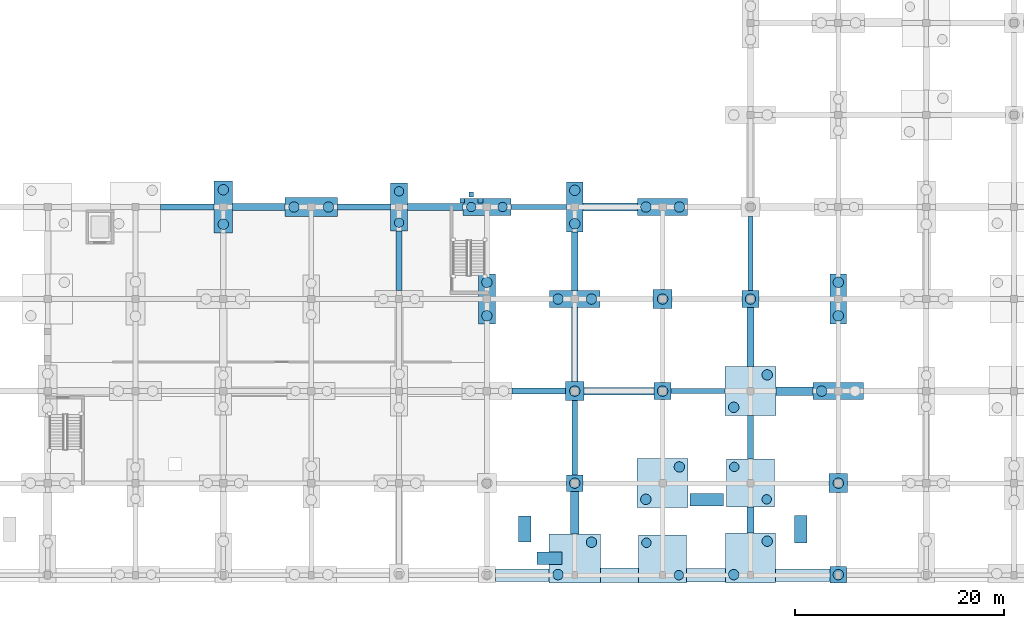
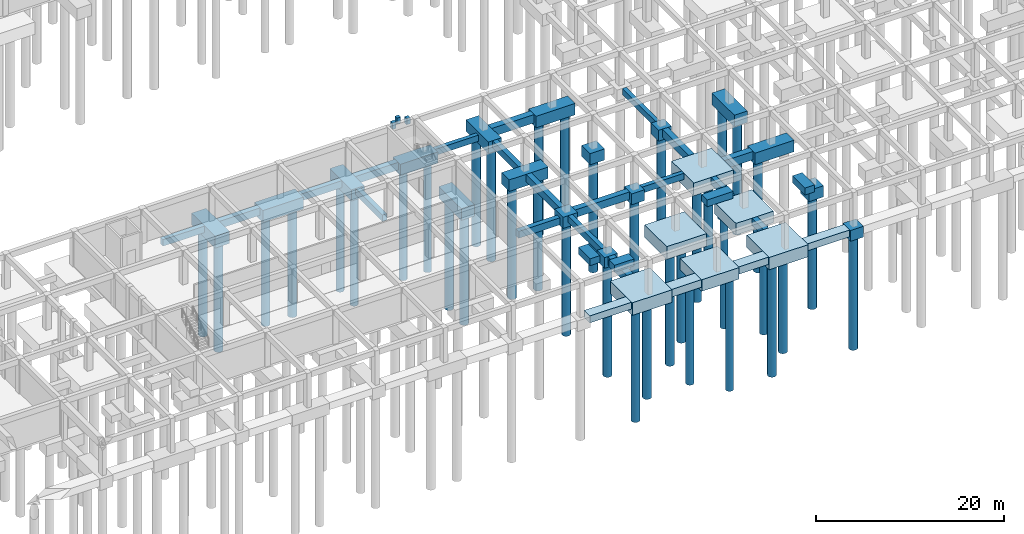
# One storey, part 4 of 41: 53 footings, 38 piles.
"""IFC4 building model written with IfcOpenShell, lengths in metres."""

from ifc_helpers import new_model, si_unit, direction, frame, origin, origin_2d, place, context, subcontext, project, spatial, rectangle, circle, extrude, material, material_profile, profile_set, type_object, element, save


model = new_model("IFC4")

# Units and contexts
model_context = context("Model", 3, precision=1e-05, world=origin(), true_north=direction((0.0, 1.0)))
body_context = subcontext(model_context, "Body", "Model", "MODEL_VIEW")
ifc_project = project(units=[si_unit("LENGTHUNIT", "METRE"), si_unit("AREAUNIT", "SQUARE_METRE"), si_unit("VOLUMEUNIT", "CUBIC_METRE"), si_unit("PLANEANGLEUNIT", "RADIAN"), si_unit("MASSUNIT", "GRAM", prefix="KILO")], contexts=[model_context])

# Site, building, storey
site_placement = place(None, origin())
site = spatial("IfcSite", under=ifc_project, at=site_placement, CompositionType="ELEMENT")
building_placement = place(site_placement, origin())
building = spatial("IfcBuilding", under=site, at=building_placement, Name="Kemercrest Conservatory and Botanical Centre", CompositionType="ELEMENT")
storey_placement = place(building_placement, frame((0.0, 0.0, -4.5)))
storey = spatial("IfcBuildingStorey", under=building, at=storey_placement, Name="B1", CompositionType="ELEMENT", Elevation=-4.5)

# Piles
ifc_material = material(Name="Concrete C40/50", Category="concrete")
ifc_material_profile_1 = material_profile(ifc_material, circle(Radius=0.5, at=origin_2d()), Name="BORED PILE 1000")
ifc_profile_set_1 = profile_set([ifc_material_profile_1], Name="Concrete C40/50")
pile_type_1 = type_object("IfcPileType", Name="BP-01", PredefinedType="BORED", material=ifc_profile_set_1)
for number, where, z_axis, x_axis, name in (
    (1, (75.199951171875, 41.550048828125, -1.860107421875), (0.0, 0.0, -1.0), (1.0, 0.0, 0.0), "Bored pile BP-01 #206"),
    (2, (75.199951171875, 44.85009765625, -1.860107421875), (0.0, 0.0, -1.0), (1.0, 0.0, 0.0), "Bored pile BP-01 #207"),
    (3, (81.949951171875, 43.199951171875, -1.860107421875), (0.0, 0.0, -1.0), (1.0, 0.0, 0.0), "Bored pile BP-01 #224"),
    (4, (85.25, 43.199951171875, -1.860107421875), (0.0, 0.0, -1.0), (1.0, 0.0, 0.0), "Bored pile BP-01 #225"),
):
    element("IfcPile", number, at=place(storey_placement, frame(where, z_axis=z_axis, x_axis=x_axis)), inside=storey, type_object=pile_type_1, Name=name, PredefinedType="BORED", context=body_context, shape_type="SweptSolid", body=[
        extrude(circle(Radius=0.5, at=origin_2d()), origin(), (0.0, 0.0, 1.0), 14.139892578125),
    ])
for number, where, z_axis, x_axis, name in (
    (5, (100.39990234375, 32.800048828125, -1.81005859375), (0.0, 0.0, -1.0), (1.0, 0.0, 0.0), "Bored pile BP-01 #258"),
    (6, (100.39990234375, 36.0, -1.81005859375), (0.0, 0.0, -1.0), (1.0, 0.0, 0.0), "Bored pile BP-01 #259"),
):
    element("IfcPile", number, at=place(storey_placement, frame(where, z_axis=z_axis, x_axis=x_axis)), inside=storey, type_object=pile_type_1, Name=name, PredefinedType="BORED", context=body_context, shape_type="SweptSolid", body=[
        extrude(circle(Radius=0.5, at=origin_2d()), origin(), (0.0, 0.0, 1.0), 14.18994140625),
    ])
for number, where, z_axis, x_axis, name in (
    (7, (107.199951171875, 8.050048828125, -1.550048828125), (0.0, 0.0, -1.0), (1.0, 0.0, 0.0), "Bored pile BP-01 #272"),
    (8, (110.39990234375, 11.14990234375, -1.550048828125), (0.0, 0.0, -1.0), (1.0, 0.0, 0.0), "Bored pile BP-01 #273"),
):
    element("IfcPile", number, at=place(storey_placement, frame(where, z_axis=z_axis, x_axis=x_axis)), inside=storey, type_object=pile_type_1, Name=name, PredefinedType="BORED", context=body_context, shape_type="SweptSolid", body=[
        extrude(circle(Radius=0.5, at=origin_2d()), origin(), (0.0, 0.0, 1.0), 14.449951171875),
    ])
pile_1_placement = place(storey_placement, frame((108.800048828125, 16.800048828125, -1.300048828125), z_axis=(0.0, 0.0, -1.0), x_axis=(1.0, 0.0, 0.0)))
element("IfcPile", 9, at=pile_1_placement, inside=storey, type_object=pile_type_1, Name="Bored pile BP-01 #274", PredefinedType="BORED", context=body_context, shape_type="SweptSolid", body=[
    extrude(circle(Radius=0.5, at=origin_2d()), origin(), (0.0, 0.0, 1.0), 14.699951171875),
])
pile_2_placement = place(storey_placement, frame((108.800048828125, 25.60009765625, -1.35009765625), z_axis=(0.0, 0.0, -1.0), x_axis=(1.0, 0.0, 0.0)))
element("IfcPile", 10, at=pile_2_placement, inside=storey, type_object=pile_type_1, Name="Bored pile BP-01 #275", PredefinedType="BORED", context=body_context, shape_type="SweptSolid", body=[
    extrude(circle(Radius=0.5, at=origin_2d()), origin(), (0.0, 0.0, 1.0), 14.64990234375),
])
for number, where, z_axis, x_axis, name in (
    (11, (107.199951171875, 34.39990234375, -1.39990234375), (0.0, 0.0, -1.0), (1.0, 0.0, 0.0), "Bored pile BP-01 #276"),
    (12, (110.39990234375, 34.39990234375, -1.39990234375), (0.0, 0.0, -1.0), (1.0, 0.0, 0.0), "Bored pile BP-01 #277"),
    (13, (108.800048828125, 41.60009765625, -1.39990234375), (0.0, 0.0, -1.0), (1.0, 0.0, 0.0), "Bored pile BP-01 #278"),
    (14, (108.800048828125, 44.800048828125, -1.39990234375), (0.0, 0.0, -1.0), (1.0, 0.0, 0.0), "Bored pile BP-01 #279"),
):
    element("IfcPile", number, at=place(storey_placement, frame(where, z_axis=z_axis, x_axis=x_axis)), inside=storey, type_object=pile_type_1, Name=name, PredefinedType="BORED", context=body_context, shape_type="SweptSolid", body=[
        extrude(circle(Radius=0.5, at=origin_2d()), origin(), (0.0, 0.0, 1.0), 14.60009765625),
    ])
for number, where, z_axis, x_axis, name in (
    (15, (115.60009765625, 15.25, -1.550048828125), (0.0, 0.0, -1.0), (1.0, 0.0, 0.0), "Bored pile BP-01 #292"),
    (16, (118.800048828125, 18.35009765625, -1.550048828125), (0.0, 0.0, -1.0), (1.0, 0.0, 0.0), "Bored pile BP-01 #293"),
):
    element("IfcPile", number, at=place(storey_placement, frame(where, z_axis=z_axis, x_axis=x_axis)), inside=storey, type_object=pile_type_1, Name=name, PredefinedType="BORED", context=body_context, shape_type="SweptSolid", body=[
        extrude(circle(Radius=0.5, at=origin_2d()), origin(), (0.0, 0.0, 1.0), 14.449951171875),
    ])
pile_3_placement = place(storey_placement, frame((117.199951171875, 25.60009765625, -1.300048828125), z_axis=(0.0, 0.0, -1.0), x_axis=(1.0, 0.0, 0.0)))
element("IfcPile", 17, at=pile_3_placement, inside=storey, type_object=pile_type_1, Name="Bored pile BP-01 #294", PredefinedType="BORED", context=body_context, shape_type="SweptSolid", body=[
    extrude(circle(Radius=0.5, at=origin_2d()), origin(), (0.0, 0.0, 1.0), 14.699951171875),
])
pile_4_placement = place(storey_placement, frame((117.199951171875, 34.39990234375, -1.35009765625), z_axis=(0.0, 0.0, -1.0), x_axis=(1.0, 0.0, 0.0)))
element("IfcPile", 18, at=pile_4_placement, inside=storey, type_object=pile_type_1, Name="Bored pile BP-01 #295", PredefinedType="BORED", context=body_context, shape_type="SweptSolid", body=[
    extrude(circle(Radius=0.5, at=origin_2d()), origin(), (0.0, 0.0, 1.0), 14.64990234375),
])
for number, where, z_axis, x_axis, name in (
    (19, (115.60009765625, 43.199951171875, -1.39990234375), (0.0, 0.0, -1.0), (1.0, 0.0, 0.0), "Bored pile BP-01 #296"),
    (20, (118.800048828125, 43.199951171875, -1.39990234375), (0.0, 0.0, -1.0), (1.0, 0.0, 0.0), "Bored pile BP-01 #297"),
):
    element("IfcPile", number, at=place(storey_placement, frame(where, z_axis=z_axis, x_axis=x_axis)), inside=storey, type_object=pile_type_1, Name=name, PredefinedType="BORED", context=body_context, shape_type="SweptSolid", body=[
        extrude(circle(Radius=0.5, at=origin_2d()), origin(), (0.0, 0.0, 1.0), 14.60009765625),
    ])
for number, where, z_axis, x_axis, name in (
    (21, (124.0, 8.050048828125, -1.5), (0.0, 0.0, -1.0), (1.0, 0.0, 0.0), "Bored pile BP-01 #308"),
    (22, (127.199951171875, 11.25, -1.5), (0.0, 0.0, -1.0), (1.0, 0.0, 0.0), "Bored pile BP-01 #309"),
):
    element("IfcPile", number, at=place(storey_placement, frame(where, z_axis=z_axis, x_axis=x_axis)), inside=storey, type_object=pile_type_1, Name=name, PredefinedType="BORED", context=body_context, shape_type="SweptSolid", body=[
        extrude(circle(Radius=0.5, at=origin_2d()), origin(), (0.0, 0.0, 1.0), 14.5),
    ])
for number, where, z_axis, x_axis, name in (
    (23, (124.0, 24.050048828125, -1.550048828125), (0.0, 0.0, -1.0), (1.0, 0.0, 0.0), "Bored pile BP-01 #312"),
    (24, (127.199951171875, 27.14990234375, -1.550048828125), (0.0, 0.0, -1.0), (1.0, 0.0, 0.0), "Bored pile BP-01 #313"),
):
    element("IfcPile", number, at=place(storey_placement, frame(where, z_axis=z_axis, x_axis=x_axis)), inside=storey, type_object=pile_type_1, Name=name, PredefinedType="BORED", context=body_context, shape_type="SweptSolid", body=[
        extrude(circle(Radius=0.5, at=origin_2d()), origin(), (0.0, 0.0, 1.0), 14.449951171875),
    ])
for number, where, z_axis, x_axis, name in (
    (25, (125.60009765625, 34.39990234375, -1.300048828125), (0.0, 0.0, -1.0), (1.0, 0.0, 0.0), "Bored pile BP-01 #314"),
    (26, (134.0, 8.050048828125, -1.300048828125), (0.0, 0.0, -1.0), (1.0, 0.0, 0.0), "Bored pile BP-01 #344"),
):
    element("IfcPile", number, at=place(storey_placement, frame(where, z_axis=z_axis, x_axis=x_axis)), inside=storey, type_object=pile_type_1, Name=name, PredefinedType="BORED", context=body_context, shape_type="SweptSolid", body=[
        extrude(circle(Radius=0.5, at=origin_2d()), origin(), (0.0, 0.0, 1.0), 14.699951171875),
    ])
pile_5_placement = place(storey_placement, frame((134.0, 16.800048828125, -1.35009765625), z_axis=(0.0, 0.0, -1.0), x_axis=(1.0, 0.0, 0.0)))
element("IfcPile", 27, at=pile_5_placement, inside=storey, type_object=pile_type_1, Name="Bored pile BP-01 #345", PredefinedType="BORED", context=body_context, shape_type="SweptSolid", body=[
    extrude(circle(Radius=0.5, at=origin_2d()), origin(), (0.0, 0.0, 1.0), 14.64990234375),
])
for number, where, z_axis, x_axis, name in (
    (28, (132.39990234375, 25.60009765625, -1.39990234375), (0.0, 0.0, -1.0), (1.0, 0.0, 0.0), "Bored pile BP-01 #346"),
    (29, (134.0, 32.800048828125, -1.39990234375), (0.0, 0.0, -1.0), (1.0, 0.0, 0.0), "Bored pile BP-01 #348"),
    (30, (134.0, 36.0, -1.39990234375), (0.0, 0.0, -1.0), (1.0, 0.0, 0.0), "Bored pile BP-01 #349"),
):
    element("IfcPile", number, at=place(storey_placement, frame(where, z_axis=z_axis, x_axis=x_axis)), inside=storey, type_object=pile_type_1, Name=name, PredefinedType="BORED", context=body_context, shape_type="SweptSolid", body=[
        extrude(circle(Radius=0.5, at=origin_2d()), origin(), (0.0, 0.0, 1.0), 14.60009765625),
    ])
ifc_material_profile_2 = material_profile(ifc_material, circle(Radius=0.449951171875, at=origin_2d()), Name="BORED PILE 900")
ifc_profile_set_2 = profile_set([ifc_material_profile_2], Name="Concrete C40/50")
pile_type_2 = type_object("IfcPileType", Name="BP-02", PredefinedType="BORED", material=ifc_profile_set_2)
for number, where, z_axis, x_axis, name in (
    (31, (92.0, 41.699951171875, -1.760009765625), (0.0, 0.0, -1.0), (1.0, 0.0, 0.0), "Bored pile BP-02 #242"),
    (32, (92.0, 44.699951171875, -1.760009765625), (0.0, 0.0, -1.0), (1.0, 0.0, 0.0), "Bored pile BP-02 #243"),
    (33, (98.89990234375, 43.199951171875, -1.760009765625), (0.0, 0.0, -1.0), (1.0, 0.0, 0.0), "Bored pile BP-02 #260"),
    (34, (101.89990234375, 43.199951171875, -1.760009765625), (0.0, 0.0, -1.0), (1.0, 0.0, 0.0), "Bored pile BP-02 #261"),
):
    element("IfcPile", number, at=place(storey_placement, frame(where, z_axis=z_axis, x_axis=x_axis)), inside=storey, type_object=pile_type_2, Name=name, PredefinedType="BORED", context=body_context, shape_type="SweptSolid", body=[
        extrude(circle(Radius=0.449951171875, at=origin_2d()), origin(), (0.0, 0.0, 1.0), 14.239990234375),
    ])
for number, where, z_axis, x_axis, name in (
    (35, (115.64990234375, 11.10009765625, -1.39990234375), (0.0, 0.0, -1.0), (1.0, 0.0, 0.0), "Bored pile BP-02 #290"),
    (36, (118.75, 8.0, -1.39990234375), (0.0, 0.0, -1.0), (1.0, 0.0, 0.0), "Bored pile BP-02 #291"),
    (37, (124.050048828125, 18.35009765625, -1.39990234375), (0.0, 0.0, -1.0), (1.0, 0.0, 0.0), "Bored pile BP-02 #310"),
    (38, (127.14990234375, 15.25, -1.39990234375), (0.0, 0.0, -1.0), (1.0, 0.0, 0.0), "Bored pile BP-02 #311"),
):
    element("IfcPile", number, at=place(storey_placement, frame(where, z_axis=z_axis, x_axis=x_axis)), inside=storey, type_object=pile_type_2, Name=name, PredefinedType="BORED", context=body_context, shape_type="SweptSolid", body=[
        extrude(circle(Radius=0.449951171875, at=origin_2d()), origin(), (0.0, 0.0, 1.0), 14.60009765625),
    ])

# Footings
footing_type_1 = type_object("IfcFootingType", Name="FB-01", PredefinedType="FOOTING_BEAM", material=ifc_material)
for number, where, z_axis, x_axis, name in (
    (39, (105.35009765625, 25.60009765625, -1.31005859375), (0.0, 0.0, 1.0), (1.0, 0.0, 0.0), "Seismic tie footing beam FB-01"),
    (40, (88.64990234375, 43.199951171875, -1.31005859375), (0.0, 0.0, 1.0), (1.0, 0.0, 0.0), "Seismic tie footing beam FB-01"),
):
    element("IfcFooting", number, at=place(storey_placement, frame(where, z_axis=z_axis, x_axis=x_axis)), inside=storey, type_object=footing_type_1, Name=name, PredefinedType="FOOTING_BEAM", context=body_context, shape_type="SweptSolid", body=[
        extrude(rectangle(XDim=5.10009765625, YDim=0.60009765625, at=origin_2d()), origin(), (0.0, 0.0, 1.0), 0.89990234375),
    ])
footing_1_placement = place(storey_placement, frame((108.800048828125, 38.0, -0.89990234375), z_axis=(0.0, 0.0, 1.0), x_axis=(1.0, 0.0, 0.0)))
element("IfcFooting", 41, at=footing_1_placement, inside=storey, type_object=footing_type_1, Name="Seismic tie footing beam FB-01", PredefinedType="FOOTING_BEAM", context=body_context, shape_type="SweptSolid", body=[
    extrude(rectangle(XDim=0.60009765625, YDim=5.60009765625, at=origin_2d()), origin(), (0.0, 0.0, 1.0), 0.89990234375),
])
footing_2_placement = place(storey_placement, frame((125.60009765625, 21.175048828125, -0.89990234375), z_axis=(0.0, 0.0, 1.0), x_axis=(1.0, 0.0, 0.0)))
element("IfcFooting", 42, at=footing_2_placement, inside=storey, type_object=footing_type_1, Name="Seismic tie footing beam FB-01", PredefinedType="FOOTING_BEAM", context=body_context, shape_type="SweptSolid", body=[
    extrude(rectangle(XDim=0.60009765625, YDim=4.14990234375, at=origin_2d()), origin(), (0.0, 0.0, 1.0), 0.89990234375),
])
footing_type_2 = type_object("IfcFootingType", Name="FB-02", PredefinedType="FOOTING_BEAM", material=ifc_material)
footing_3_placement = place(storey_placement, frame((113.050048828125, 25.60009765625, -1.0), z_axis=(0.0, 0.0, 1.0), x_axis=(1.0, 0.0, 0.0)))
element("IfcFooting", 43, at=footing_3_placement, inside=storey, type_object=footing_type_2, Name="Seismic tie footing beam FB-02", PredefinedType="FOOTING_BEAM", context=body_context, shape_type="SweptSolid", body=[
    extrude(rectangle(XDim=6.699951171875, YDim=0.699951171875, at=origin_2d()), origin(), (0.0, 0.0, 1.0), 1.0),
])
footing_4_placement = place(storey_placement, frame((95.449951171875, 43.199951171875, -1.409912109375), z_axis=(0.0, 0.0, 1.0), x_axis=(1.0, 0.0, 0.0)))
element("IfcFooting", 44, at=footing_4_placement, inside=storey, type_object=footing_type_2, Name="Seismic tie footing beam FB-02", PredefinedType="FOOTING_BEAM", context=body_context, shape_type="SweptSolid", body=[
    extrude(rectangle(XDim=5.300048828125, YDim=0.699951171875, at=origin_2d()), origin(), (0.0, 0.0, 1.0), 1.0),
])
footing_5_placement = place(storey_placement, frame((125.60009765625, 30.77490234375, -1.0), z_axis=(0.0, 0.0, 1.0), x_axis=(1.0, 0.0, 0.0)))
element("IfcFooting", 45, at=footing_5_placement, inside=storey, type_object=footing_type_2, Name="Seismic tie footing beam FB-02", PredefinedType="FOOTING_BEAM", context=body_context, shape_type="SweptSolid", body=[
    extrude(rectangle(XDim=0.699951171875, YDim=5.64990234375, at=origin_2d()), origin(), (0.0, 0.0, 1.0), 1.0),
])
footing_type_3 = type_object("IfcFootingType", Name="FB-03", PredefinedType="FOOTING_BEAM", material=ifc_material)
footing_6_placement = place(storey_placement, frame((120.574951171875, 25.60009765625, -0.7998046875), z_axis=(0.0, 0.0, 1.0), x_axis=(1.0, 0.0, 0.0)))
element("IfcFooting", 46, at=footing_6_placement, inside=storey, type_object=footing_type_3, Name="Seismic tie footing beam FB-03", PredefinedType="FOOTING_BEAM", context=body_context, shape_type="SweptSolid", body=[
    extrude(rectangle(XDim=5.14990234375, YDim=0.5, at=origin_2d()), origin(), (0.0, 0.0, 1.0), 0.800048828125),
])
footing_7_placement = place(storey_placement, frame((105.35009765625, 43.199951171875, -1.2099609375), z_axis=(0.0, 0.0, 1.0), x_axis=(1.0, 0.0, 0.0)))
element("IfcFooting", 47, at=footing_7_placement, inside=storey, type_object=footing_type_3, Name="Seismic tie footing beam FB-03", PredefinedType="FOOTING_BEAM", context=body_context, shape_type="SweptSolid", body=[
    extrude(rectangle(XDim=5.300048828125, YDim=0.5, at=origin_2d()), origin(), (0.0, 0.0, 1.0), 0.800048828125),
])
footing_8_placement = place(storey_placement, frame((125.60009765625, 38.75, -0.7998046875), z_axis=(0.0, 0.0, 1.0), x_axis=(1.0, 0.0, 0.0)))
element("IfcFooting", 48, at=footing_8_placement, inside=storey, type_object=footing_type_3, Name="Seismic tie footing beam FB-03", PredefinedType="FOOTING_BEAM", context=body_context, shape_type="SweptSolid", body=[
    extrude(rectangle(XDim=0.5, YDim=7.10009765625, at=origin_2d()), origin(), (0.0, 0.0, 1.0), 0.800048828125),
])
footing_type_4 = type_object("IfcFootingType", Name="FB-04", PredefinedType="FOOTING_BEAM", material=ifc_material)
footing_9_placement = place(storey_placement, frame((129.824951171875, 25.60009765625, -1.10009765625), z_axis=(0.0, 0.0, 1.0), x_axis=(1.0, 0.0, 0.0)))
element("IfcFooting", 49, at=footing_9_placement, inside=storey, type_object=footing_type_4, Name="Seismic tie footing beam FB-04", PredefinedType="FOOTING_BEAM", context=body_context, shape_type="SweptSolid", body=[
    extrude(rectangle(XDim=3.550048828125, YDim=0.800048828125, at=origin_2d()), origin(), (0.0, 0.0, 1.0), 1.10009765625),
])
footing_10_placement = place(storey_placement, frame((112.199951171875, 43.199951171875, -1.10009765625), z_axis=(0.0, 0.0, 1.0), x_axis=(1.0, 0.0, 0.0)))
element("IfcFooting", 50, at=footing_10_placement, inside=storey, type_object=footing_type_4, Name="Seismic tie footing beam FB-04", PredefinedType="FOOTING_BEAM", context=body_context, shape_type="SweptSolid", body=[
    extrude(rectangle(XDim=5.199951171875, YDim=0.800048828125, at=origin_2d()), origin(), (0.0, 0.0, 1.0), 1.10009765625),
])
footing_11_placement = place(storey_placement, frame((108.800048828125, 13.97509765625, -1.10009765625), z_axis=(0.0, 0.0, 1.0), x_axis=(1.0, 0.0, 0.0)))
element("IfcFooting", 51, at=footing_11_placement, inside=storey, type_object=footing_type_4, Name="Seismic tie footing beam FB-04", PredefinedType="FOOTING_BEAM", context=body_context, shape_type="SweptSolid", body=[
    extrude(rectangle(XDim=0.800048828125, YDim=4.050048828125, at=origin_2d()), origin(), (0.0, 0.0, 1.0), 1.10009765625),
])
footing_type_5 = type_object("IfcFootingType", Name="FB-05", PredefinedType="FOOTING_BEAM", material=ifc_material)
footing_12_placement = place(storey_placement, frame((71.75, 43.199951171875, -1.260009765625), z_axis=(0.0, 0.0, 1.0), x_axis=(1.0, 0.0, 0.0)))
element("IfcFooting", 52, at=footing_12_placement, inside=storey, type_object=footing_type_5, Name="Seismic tie footing beam FB-05", PredefinedType="FOOTING_BEAM", context=body_context, shape_type="SweptSolid", body=[
    extrude(rectangle(XDim=5.10009765625, YDim=0.550048828125, at=origin_2d()), origin(), (0.0, 0.0, 1.0), 0.85009765625),
])
footing_13_placement = place(storey_placement, frame((92.0, 38.050048828125, -1.260009765625), z_axis=(0.0, 0.0, 1.0), x_axis=(1.0, 0.0, 0.0)))
element("IfcFooting", 53, at=footing_13_placement, inside=storey, type_object=footing_type_5, Name="Seismic tie footing beam FB-05", PredefinedType="FOOTING_BEAM", context=body_context, shape_type="SweptSolid", body=[
    extrude(rectangle(XDim=0.550048828125, YDim=5.699951171875, at=origin_2d()), origin(), (0.0, 0.0, 1.0), 0.85009765625),
])
footing_14_placement = place(storey_placement, frame((108.800048828125, 21.14990234375, -0.85009765625), z_axis=(0.0, 0.0, 1.0), x_axis=(1.0, 0.0, 0.0)))
element("IfcFooting", 54, at=footing_14_placement, inside=storey, type_object=footing_type_5, Name="Seismic tie footing beam FB-05", PredefinedType="FOOTING_BEAM", context=body_context, shape_type="SweptSolid", body=[
    extrude(rectangle(XDim=0.550048828125, YDim=7.10009765625, at=origin_2d()), origin(), (0.0, 0.0, 1.0), 0.85009765625),
])
footing_type_6 = type_object("IfcFootingType", Name="FB-06", PredefinedType="FOOTING_BEAM", material=ifc_material)
footing_15_placement = place(storey_placement, frame((78.60009765625, 43.199951171875, -1.35986328125), z_axis=(0.0, 0.0, 1.0), x_axis=(1.0, 0.0, 0.0)))
element("IfcFooting", 55, at=footing_15_placement, inside=storey, type_object=footing_type_6, Name="Seismic tie footing beam FB-06", PredefinedType="FOOTING_BEAM", context=body_context, shape_type="SweptSolid", body=[
    extrude(rectangle(XDim=5.0, YDim=0.64990234375, at=origin_2d()), origin(), (0.0, 0.0, 1.0), 0.949951171875),
])
footing_16_placement = place(storey_placement, frame((108.800048828125, 30.050048828125, -0.9501953125), z_axis=(0.0, 0.0, 1.0), x_axis=(1.0, 0.0, 0.0)))
element("IfcFooting", 56, at=footing_16_placement, inside=storey, type_object=footing_type_6, Name="Seismic tie footing beam FB-06", PredefinedType="FOOTING_BEAM", context=body_context, shape_type="SweptSolid", body=[
    extrude(rectangle(XDim=0.64990234375, YDim=7.10009765625, at=origin_2d()), origin(), (0.0, 0.0, 1.0), 0.949951171875),
])
footing_17_placement = place(storey_placement, frame((125.60009765625, 13.27490234375, -0.9501953125), z_axis=(0.0, 0.0, 1.0), x_axis=(1.0, 0.0, 0.0)))
element("IfcFooting", 57, at=footing_17_placement, inside=storey, type_object=footing_type_6, Name="Seismic tie footing beam FB-06", PredefinedType="FOOTING_BEAM", context=body_context, shape_type="SweptSolid", body=[
    extrude(rectangle(XDim=0.64990234375, YDim=2.449951171875, at=origin_2d()), origin(), (0.0, 0.0, 1.0), 0.949951171875),
])
footing_type_7 = type_object("IfcFootingType", Name="PC-01", PredefinedType="PILE_CAP", material=ifc_material)
for number, where, z_axis, x_axis, name in (
    (58, (108.800048828125, 16.800048828125, -1.39990234375), (0.0, 0.0, 1.0), (1.0, 0.0, 0.0), "Pile cap PC-01 at (108.8, 16.8)"),
    (59, (117.199951171875, 25.60009765625, -1.39990234375), (0.0, 0.0, 1.0), (1.0, 0.0, 0.0), "Pile cap PC-01 at (117.2, 25.6)"),
    (60, (125.60009765625, 34.39990234375, -1.39990234375), (0.0, 0.0, 1.0), (1.0, 0.0, 0.0), "Pile cap PC-01 at (125.6, 34.4)"),
    (61, (134.0, 8.050048828125, -1.39990234375), (0.0, 0.0, 1.0), (1.0, 0.0, 0.0), "Pile cap PC-01 at (134.0, 8.1)"),
):
    element("IfcFooting", number, at=place(storey_placement, frame(where, z_axis=z_axis, x_axis=x_axis)), inside=storey, type_object=footing_type_7, Name=name, PredefinedType="PILE_CAP", context=body_context, shape_type="SweptSolid", body=[
        extrude(rectangle(XDim=1.60009765625, YDim=1.60009765625, at=origin_2d()), origin(), (0.0, 0.0, 1.0), 1.39990234375),
    ])
footing_type_8 = type_object("IfcFootingType", Name="PC-02", PredefinedType="PILE_CAP", material=ifc_material)
for number, where, z_axis, x_axis, name in (
    (62, (108.800048828125, 34.39990234375, -1.5), (0.0, 0.0, 1.0), (1.0, 0.0, 0.0), "Pile cap PC-02 at (108.8, 34.4)"),
    (63, (117.199951171875, 43.199951171875, -1.5), (0.0, 0.0, 1.0), (1.0, 0.0, 0.0), "Pile cap PC-02 at (117.2, 43.2)"),
    (64, (134.0, 25.60009765625, -1.5), (0.0, 0.0, 1.0), (1.0, 0.0, 0.0), "Pile cap PC-02 at (134.0, 25.6)"),
):
    element("IfcFooting", number, at=place(storey_placement, frame(where, z_axis=z_axis, x_axis=x_axis)), inside=storey, type_object=footing_type_8, Name=name, PredefinedType="PILE_CAP", context=body_context, shape_type="SweptSolid", body=[
        extrude(rectangle(XDim=4.800048828125, YDim=1.60009765625, at=origin_2d()), origin(), (0.0, 0.0, 1.0), 1.5),
    ])
footing_type_9 = type_object("IfcFootingType", Name="PC-03", PredefinedType="PILE_CAP", material=ifc_material)
for number, where, z_axis, x_axis, name in (
    (65, (100.39990234375, 34.39990234375, -1.909912109375), (0.0, 0.0, 1.0), (1.0, 0.0, 0.0), "Pile cap PC-03 at (100.4, 34.4)"),
    (66, (108.800048828125, 43.199951171875, -1.5), (0.0, 0.0, 1.0), (1.0, 0.0, 0.0), "Pile cap PC-03 at (108.8, 43.2)"),
    (67, (134.0, 34.39990234375, -1.5), (0.0, 0.0, 1.0), (1.0, 0.0, 0.0), "Pile cap PC-03 at (134.0, 34.4)"),
):
    element("IfcFooting", number, at=place(storey_placement, frame(where, z_axis=z_axis, x_axis=x_axis)), inside=storey, type_object=footing_type_9, Name=name, PredefinedType="PILE_CAP", context=body_context, shape_type="SweptSolid", body=[
        extrude(rectangle(XDim=1.60009765625, YDim=4.800048828125, at=origin_2d()), origin(), (0.0, 0.0, 1.0), 1.5),
    ])
footing_type_10 = type_object("IfcFootingType", Name="PC-04", PredefinedType="PILE_CAP", material=ifc_material)
footing_18_placement = place(storey_placement, frame((125.60009765625, 9.64990234375, -1.60009765625), z_axis=(0.0, 0.0, 1.0), x_axis=(1.0, 0.0, 0.0)))
element("IfcFooting", 68, at=footing_18_placement, inside=storey, type_object=footing_type_10, Name="Pile cap PC-04 at (125.6, 9.7)", PredefinedType="PILE_CAP", context=body_context, shape_type="SweptSolid", body=[
    extrude(rectangle(XDim=4.800048828125, YDim=4.800048828125, at=origin_2d()), origin(), (0.0, 0.0, 1.0), 1.60009765625),
])
footing_type_11 = type_object("IfcFootingType", Name="PC-05", PredefinedType="PILE_CAP", material=ifc_material)
for number, where, z_axis, x_axis, name in (
    (69, (117.199951171875, 9.550048828125, -1.5), (0.0, 0.0, 1.0), (1.0, 0.0, 0.0), "Pile cap PC-05 at (117.2, 9.6)"),
    (70, (125.60009765625, 16.800048828125, -1.5), (0.0, 0.0, 1.0), (1.0, 0.0, 0.0), "Pile cap PC-05 at (125.6, 16.8)"),
):
    element("IfcFooting", number, at=place(storey_placement, frame(where, z_axis=z_axis, x_axis=x_axis)), inside=storey, type_object=footing_type_11, Name=name, PredefinedType="PILE_CAP", context=body_context, shape_type="SweptSolid", body=[
        extrude(rectangle(XDim=4.60009765625, YDim=4.60009765625, at=origin_2d()), origin(), (0.0, 0.0, 1.0), 1.5),
    ])
footing_type_12 = type_object("IfcFootingType", Name="PC-08", PredefinedType="PILE_CAP", material=ifc_material)
footing_19_placement = place(storey_placement, frame((100.39990234375, 43.199951171875, -1.85986328125), z_axis=(0.0, 0.0, 1.0), x_axis=(1.0, 0.0, 0.0)))
element("IfcFooting", 71, at=footing_19_placement, inside=storey, type_object=footing_type_12, Name="Pile cap PC-08 at (100.4, 43.2)", PredefinedType="PILE_CAP", context=body_context, shape_type="SweptSolid", body=[
    extrude(rectangle(XDim=4.60009765625, YDim=1.60009765625, at=origin_2d()), origin(), (0.0, 0.0, 1.0), 1.449951171875),
])
footing_type_13 = type_object("IfcFootingType", Name="PC-09", PredefinedType="PILE_CAP", material=ifc_material)
footing_20_placement = place(storey_placement, frame((92.0, 43.199951171875, -1.85986328125), z_axis=(0.0, 0.0, 1.0), x_axis=(1.0, 0.0, 0.0)))
element("IfcFooting", 72, at=footing_20_placement, inside=storey, type_object=footing_type_13, Name="Pile cap PC-09 at (92.0, 43.2)", PredefinedType="PILE_CAP", context=body_context, shape_type="SweptSolid", body=[
    extrude(rectangle(XDim=1.60009765625, YDim=4.60009765625, at=origin_2d()), origin(), (0.0, 0.0, 1.0), 1.449951171875),
])
footing_type_14 = type_object("IfcFootingType", Name="PC-12", PredefinedType="PILE_CAP", material=ifc_material)
for number, where, z_axis, x_axis, name in (
    (73, (108.800048828125, 25.60009765625, -1.4501953125), (0.0, 0.0, 1.0), (1.0, 0.0, 0.0), "Pile cap PC-12 at (108.8, 25.6)"),
    (74, (117.199951171875, 34.39990234375, -1.4501953125), (0.0, 0.0, 1.0), (1.0, 0.0, 0.0), "Pile cap PC-12 at (117.2, 34.4)"),
    (75, (134.0, 16.800048828125, -1.4501953125), (0.0, 0.0, 1.0), (1.0, 0.0, 0.0), "Pile cap PC-12 at (134.0, 16.8)"),
):
    element("IfcFooting", number, at=place(storey_placement, frame(where, z_axis=z_axis, x_axis=x_axis)), inside=storey, type_object=footing_type_14, Name=name, PredefinedType="PILE_CAP", context=body_context, shape_type="SweptSolid", body=[
        extrude(rectangle(XDim=1.800048828125, YDim=1.800048828125, at=origin_2d()), origin(), (0.0, 0.0, 1.0), 1.449951171875),
    ])
footing_type_15 = type_object("IfcFootingType", Name="PC-13", PredefinedType="PILE_CAP", material=ifc_material)
footing_21_placement = place(storey_placement, frame((83.60009765625, 43.199951171875, -1.9599609375), z_axis=(0.0, 0.0, 1.0), x_axis=(1.0, 0.0, 0.0)))
element("IfcFooting", 76, at=footing_21_placement, inside=storey, type_object=footing_type_15, Name="Pile cap PC-13 at (83.6, 43.2)", PredefinedType="PILE_CAP", context=body_context, shape_type="SweptSolid", body=[
    extrude(rectangle(XDim=5.0, YDim=1.800048828125, at=origin_2d()), origin(), (0.0, 0.0, 1.0), 1.550048828125),
])
footing_type_16 = type_object("IfcFootingType", Name="PC-14", PredefinedType="PILE_CAP", material=ifc_material)
footing_22_placement = place(storey_placement, frame((75.199951171875, 43.199951171875, -1.9599609375), z_axis=(0.0, 0.0, 1.0), x_axis=(1.0, 0.0, 0.0)))
element("IfcFooting", 77, at=footing_22_placement, inside=storey, type_object=footing_type_16, Name="Pile cap PC-14 at (75.2, 43.2)", PredefinedType="PILE_CAP", context=body_context, shape_type="SweptSolid", body=[
    extrude(rectangle(XDim=1.800048828125, YDim=5.0, at=origin_2d()), origin(), (0.0, 0.0, 1.0), 1.550048828125),
])
footing_type_17 = type_object("IfcFootingType", Name="PC-16", PredefinedType="PILE_CAP", material=ifc_material)
for number, where, z_axis, x_axis, name in (
    (78, (108.800048828125, 9.60009765625, -1.64990234375), (0.0, 0.0, 1.0), (1.0, 0.0, 0.0), "Pile cap PC-16 at (108.8, 9.6)"),
    (79, (117.199951171875, 16.800048828125, -1.64990234375), (0.0, 0.0, 1.0), (1.0, 0.0, 0.0), "Pile cap PC-16 at (117.2, 16.8)"),
    (80, (125.60009765625, 25.60009765625, -1.64990234375), (0.0, 0.0, 1.0), (1.0, 0.0, 0.0), "Pile cap PC-16 at (125.6, 25.6)"),
):
    element("IfcFooting", number, at=place(storey_placement, frame(where, z_axis=z_axis, x_axis=x_axis)), inside=storey, type_object=footing_type_17, Name=name, PredefinedType="PILE_CAP", context=body_context, shape_type="SweptSolid", body=[
        extrude(rectangle(XDim=4.89990234375, YDim=4.699951171875, at=origin_2d()), origin(), (0.0, 0.0, 1.0), 1.64990234375),
    ])
footing_type_18 = type_object("IfcFootingType", Name="PF-01", PredefinedType="PAD_FOOTING", material=ifc_material)
for number, where, z_axis, x_axis, name in (
    (81, (99.7900390625, 43.800048828125, 3.52001953125), (0.0, 0.0, 1.0), (-1.0, 0.0, 0.0), "Threshold pad ED017 grade pad footing L"),
    (82, (98.0400390625, 43.800048828125, 3.52001953125), (0.0, 0.0, 1.0), (-1.0, 0.0, 0.0), "Threshold pad ED017 grade pad footing R"),
    (83, (98.9150390625, 44.39990234375, 3.52001953125), (0.0, 0.0, 1.0), (-1.0, 0.0, 0.0), "Threshold pad ED017 grade pad footing F"),
):
    element("IfcFooting", number, at=place(storey_placement, frame(where, z_axis=z_axis, x_axis=x_axis)), inside=storey, type_object=footing_type_18, Name=name, PredefinedType="PAD_FOOTING", context=body_context, shape_type="SweptSolid", body=[
        extrude(rectangle(XDim=0.449951171875, YDim=0.449951171875, at=origin_2d()), origin(), (0.0, 0.0, 1.0), 0.800048828125),
    ])
footing_type_19 = type_object("IfcFootingType", Name="PF-02", PredefinedType="PAD_FOOTING", material=ifc_material)
footing_23_placement = place(storey_placement, frame((106.39990234375, 9.60009765625, 3.320068359375), z_axis=(0.0, 0.0, 1.0), x_axis=(1.0, 0.0, 0.0)))
element("IfcFooting", 84, at=footing_23_placement, inside=storey, type_object=footing_type_19, Name="Forecourt plaza AR-03 grade strip footing S", PredefinedType="PAD_FOOTING", context=body_context, shape_type="SweptSolid", body=[
    extrude(rectangle(XDim=2.39990234375, YDim=1.199951171875, at=origin_2d()), origin(), (0.0, 0.0, 1.0), 0.89990234375),
])
footing_24_placement = place(storey_placement, frame((121.39990234375, 15.199951171875, 3.320068359375), z_axis=(0.0, 0.0, 1.0), x_axis=(1.0, 0.0, 0.0)))
element("IfcFooting", 85, at=footing_24_placement, inside=storey, type_object=footing_type_19, Name="Forecourt plaza AR-03 grade strip footing N", PredefinedType="PAD_FOOTING", context=body_context, shape_type="SweptSolid", body=[
    extrude(rectangle(XDim=3.199951171875, YDim=1.199951171875, at=origin_2d()), origin(), (0.0, 0.0, 1.0), 0.89990234375),
])
footing_type_20 = type_object("IfcFootingType", Name="PF-03", PredefinedType="PAD_FOOTING", material=ifc_material)
footing_25_placement = place(storey_placement, frame((104.0, 12.39990234375, 3.5), z_axis=(0.0, 0.0, 1.0), x_axis=(1.0, 0.0, 0.0)))
element("IfcFooting", 86, at=footing_25_placement, inside=storey, type_object=footing_type_20, Name="Accessible ramp AR-03 grade toe strip footing", PredefinedType="PAD_FOOTING", context=body_context, shape_type="SweptSolid", body=[
    extrude(rectangle(XDim=1.199951171875, YDim=2.5, at=origin_2d()), origin(), (0.0, 0.0, 1.0), 0.89990234375),
])
footing_26_placement = place(storey_placement, frame((130.39990234375, 12.39990234375, 3.5), z_axis=(0.0, 0.0, 1.0), x_axis=(1.0, 0.0, 0.0)))
element("IfcFooting", 87, at=footing_26_placement, inside=storey, type_object=footing_type_20, Name="Accessible ramp AR-04 grade toe strip footing", PredefinedType="PAD_FOOTING", context=body_context, shape_type="SweptSolid", body=[
    extrude(rectangle(XDim=1.199951171875, YDim=2.64990234375, at=origin_2d()), origin(), (0.0, 0.0, 1.0), 0.89990234375),
])
footing_type_21 = type_object("IfcFootingType", Name="SF-01", PredefinedType="STRIP_FOOTING", material=ifc_material)
footing_27_placement = place(storey_placement, frame((103.77490234375, 8.0, -0.89990234375), z_axis=(0.0, 0.0, 1.0), x_axis=(1.0, 0.0, 0.0)))
element("IfcFooting", 88, at=footing_27_placement, inside=storey, type_object=footing_type_21, Name="Perimeter strip footing SF-01", PredefinedType="STRIP_FOOTING", context=body_context, shape_type="SweptSolid", body=[
    extrude(rectangle(XDim=5.14990234375, YDim=1.199951171875, at=origin_2d()), origin(), (0.0, 0.0, 1.0), 0.89990234375),
])
footing_28_placement = place(storey_placement, frame((130.60009765625, 8.0, -0.89990234375), z_axis=(0.0, 0.0, 1.0), x_axis=(1.0, 0.0, 0.0)))
element("IfcFooting", 89, at=footing_28_placement, inside=storey, type_object=footing_type_21, Name="Perimeter strip footing SF-01", PredefinedType="STRIP_FOOTING", context=body_context, shape_type="SweptSolid", body=[
    extrude(rectangle(XDim=5.199951171875, YDim=1.199951171875, at=origin_2d()), origin(), (0.0, 0.0, 1.0), 0.89990234375),
])
footing_type_22 = type_object("IfcFootingType", Name="SF-02", PredefinedType="STRIP_FOOTING", material=ifc_material)
footing_29_placement = place(storey_placement, frame((113.074951171875, 8.0, -1.0), z_axis=(0.0, 0.0, 1.0), x_axis=(1.0, 0.0, 0.0)))
element("IfcFooting", 90, at=footing_29_placement, inside=storey, type_object=footing_type_22, Name="Perimeter strip footing SF-02", PredefinedType="STRIP_FOOTING", context=body_context, shape_type="SweptSolid", body=[
    extrude(rectangle(XDim=3.64990234375, YDim=1.39990234375, at=origin_2d()), origin(), (0.0, 0.0, 1.0), 1.0),
])
footing_type_23 = type_object("IfcFootingType", Name="SF-03", PredefinedType="STRIP_FOOTING", material=ifc_material)
footing_30_placement = place(storey_placement, frame((121.35009765625, 8.0, -0.9501953125), z_axis=(0.0, 0.0, 1.0), x_axis=(1.0, 0.0, 0.0)))
element("IfcFooting", 91, at=footing_30_placement, inside=storey, type_object=footing_type_23, Name="Perimeter strip footing SF-03", PredefinedType="STRIP_FOOTING", context=body_context, shape_type="SweptSolid", body=[
    extrude(rectangle(XDim=3.699951171875, YDim=1.300048828125, at=origin_2d()), origin(), (0.0, 0.0, 1.0), 0.949951171875),
])

save(model, "model.ifc")
